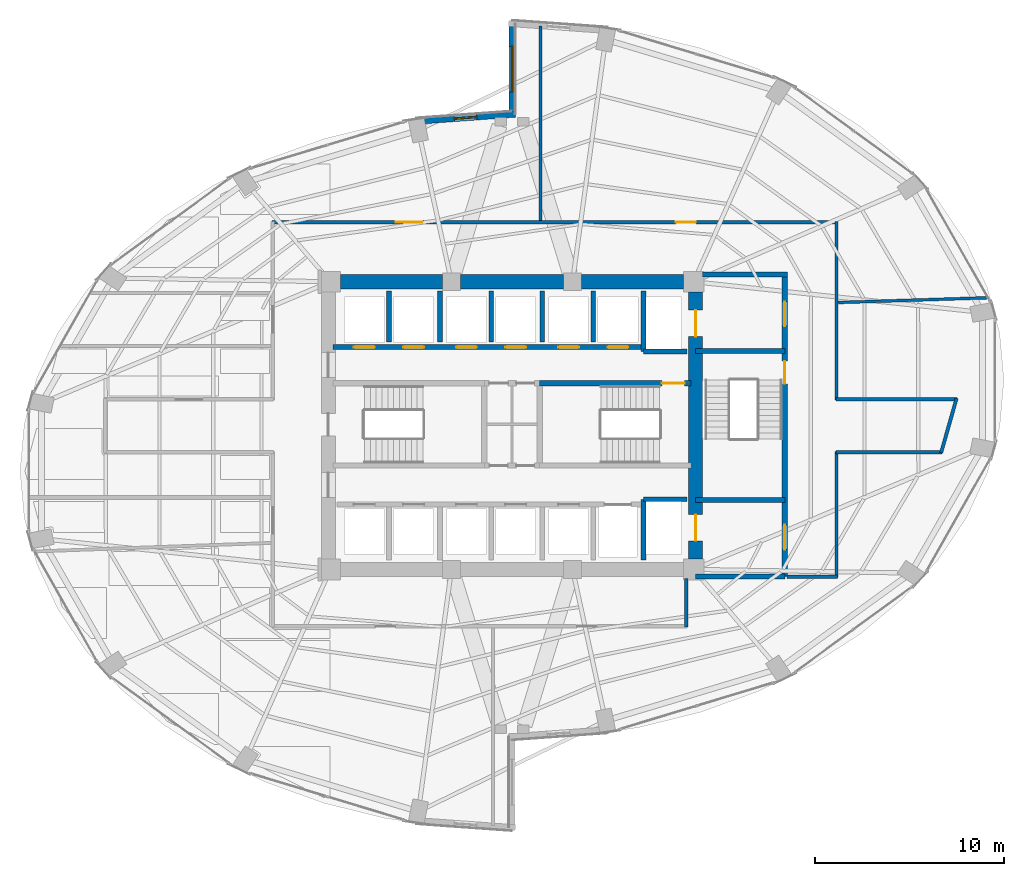
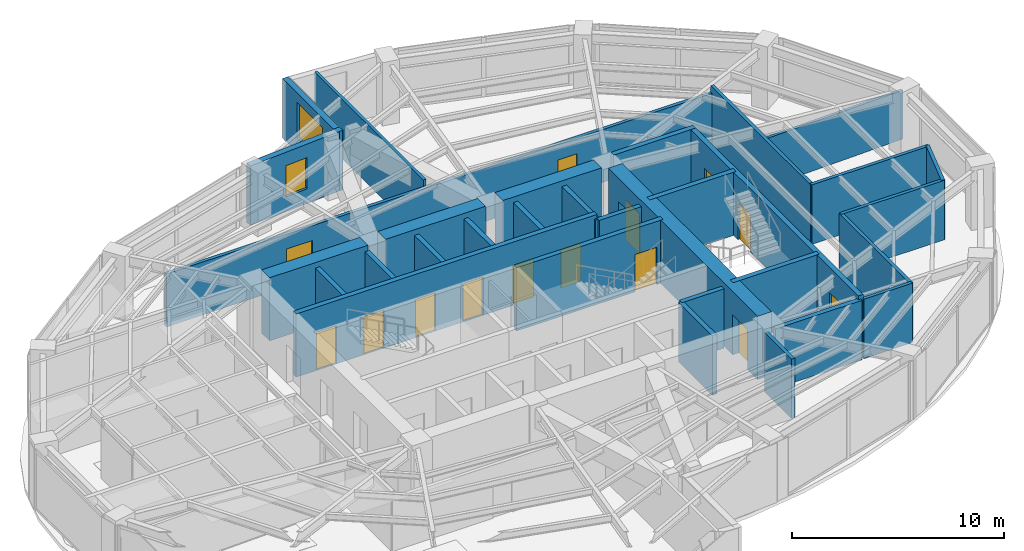
# One storey, part 20 of 23: 32 walls, 14 doors, 2 windows, 16 openings.
"""IFC4 building model written with IfcOpenShell, lengths in metres."""

from ifc_helpers import new_model, si_unit, direction, frame, frame_2d, origin, place, context, subcontext, project, spatial, rectangle, extrude, material, layer, layer_set, type_object, element, fill, save


model = new_model("IFC4")

# Units and contexts
model_context = context("Model", 3, precision=1e-05, world=origin(), true_north=direction((0.0, 1.0)))
body_context = subcontext(model_context, "Body", "Model", "MODEL_VIEW")
ifc_project = project(units=[si_unit("LENGTHUNIT", "METRE"), si_unit("AREAUNIT", "SQUARE_METRE"), si_unit("VOLUMEUNIT", "CUBIC_METRE"), si_unit("PLANEANGLEUNIT", "RADIAN"), si_unit("MASSUNIT", "GRAM", prefix="KILO")], contexts=[model_context])

# Site, building, storey
site_placement = place(None, origin())
site = spatial("IfcSite", under=ifc_project, at=site_placement, CompositionType="ELEMENT")
building_placement = place(site_placement, origin())
building = spatial("IfcBuilding", under=site, at=building_placement, Name="Lazwardi Medical Tower", CompositionType="ELEMENT")
storey_placement = place(building_placement, frame((0.0, 0.0, 92.68798828125)))
storey = spatial("IfcBuildingStorey", under=building, at=storey_placement, Name="L23", CompositionType="ELEMENT", Elevation=92.68798828125)

# Wall, openings, doors
ifc_material_1 = material(Name="Fire-rated gypsum board on steel stud", Category="steel")
ifc_layer_1 = layer(ifc_material_1, 0.179931640625)
ifc_layer_set_1 = layer_set([ifc_layer_1], Name="Fire-rated gypsum board on steel stud")
wall_type_1 = type_object("IfcWallType", Name="WL-COR-180", PredefinedType="PARTITIONING", material=ifc_layer_set_1)
wall_1_placement = place(storey_placement, frame((23.31005859375, 38.75, 0.0), z_axis=(0.0, 0.0, 1.0), x_axis=(1.0, 0.0, 0.0)))
wall_1 = element("IfcWall", 1, at=wall_1_placement, inside=storey, type_object=wall_type_1, Name="L23 Corridor partition 4", PredefinedType="PARTITIONING", context=body_context, shape_type="SweptSolid", body=[
    extrude(rectangle(XDim=29.8798828125, YDim=0.179931640625, at=frame_2d((14.93994140625, 0.0))), origin(), (0.0, 0.0, 1.0), 3.052978515625),
])
opening_1_placement = place(wall_1_placement, frame((21.35107421875, 0.0, 0.0)))
opening_1 = element("IfcOpeningElement", 2, at=opening_1_placement, cuts=wall_1, Name="Opening D-L23-012", PredefinedType="OPENING", context=body_context, shape_type="SweptSolid", body=[
    extrude(rectangle(XDim=1.050048828125, YDim=2.14990234375, at=frame_2d((0.52490234375, 1.074951171875))), frame((0.0, 0.099853515625, 0.0), z_axis=(0.0, -1.0, 0.0), x_axis=(1.0, 0.0, 0.0)), (0.0, 0.0, 1.0), 0.199951171875),
])
opening_2_placement = place(wall_1_placement, frame((6.553955078125, 0.0, 0.0)))
opening_2 = element("IfcOpeningElement", 3, at=opening_2_placement, cuts=wall_1, Name="Opening D-L23-013", PredefinedType="OPENING", context=body_context, shape_type="SweptSolid", body=[
    extrude(rectangle(XDim=1.39990234375, YDim=2.199951171875, at=frame_2d((0.699951171875, 1.10009765625))), frame((0.0, 0.099853515625, 0.0), z_axis=(0.0, -1.0, 0.0), x_axis=(1.0, 0.0, 0.0)), (0.0, 0.0, 1.0), 0.199951171875),
])
ifc_material_2 = material(Name="Anti-microbial laminate hospital leaf")
door_type_1 = type_object("IfcDoorType", Name="DR-BED-1400", OperationType="NOTDEFINED", PredefinedType="DOOR", material=ifc_material_2)
door_1_placement = place(opening_2_placement, origin())
door_1 = element("IfcDoor", 4, at=door_1_placement, inside=storey, type_object=door_type_1, Name="L23 Inpatient Ward Door 05", OperationType="SINGLE_SWING_RIGHT", OverallHeight=2.199951171875, OverallWidth=1.39990234375, PredefinedType="DOOR", context=body_context, shape_type="SweptSolid", body=[
    extrude(rectangle(XDim=1.39990234375, YDim=2.199951171875, at=frame_2d((0.699951171875, 1.10009765625))), frame((0.0, 0.02490234375, 0.0), z_axis=(0.0, -1.0, 0.0), x_axis=(1.0, 0.0, 0.0)), (0.0, 0.0, 1.0), 0.050048828125),
])
fill(opening_2, door_1)
door_type_2 = type_object("IfcDoorType", Name="DR-CLN-1050", OperationType="NOTDEFINED", PredefinedType="DOOR", material=ifc_material_2)
door_2_placement = place(opening_1_placement, origin())
door_2 = element("IfcDoor", 5, at=door_2_placement, inside=storey, type_object=door_type_2, Name="L23 Medical Duty Staff Room Door 04", OperationType="SINGLE_SWING_LEFT", OverallHeight=2.14990234375, OverallWidth=1.050048828125, PredefinedType="DOOR", context=body_context, shape_type="SweptSolid", body=[
    extrude(rectangle(XDim=1.050048828125, YDim=2.14990234375, at=frame_2d((0.52490234375, 1.074951171875))), frame((0.0, 0.02490234375, 0.0), z_axis=(0.0, -1.0, 0.0), x_axis=(1.0, 0.0, 0.0)), (0.0, 0.0, 1.0), 0.050048828125),
])
fill(opening_1, door_2)

# Walls
wall_2_placement = place(storey_placement, frame((53.14990234375, 38.7900390625, 0.0), z_axis=(0.0, 0.0, 1.0), x_axis=(0.0, -1.0, 0.0)))
element("IfcWall", 6, at=wall_2_placement, inside=storey, type_object=wall_type_1, Name="L23 Corridor partition 5", PredefinedType="PARTITIONING", context=body_context, shape_type="SweptSolid", body=[
    extrude(rectangle(XDim=9.429931640625, YDim=0.179931640625, at=frame_2d((4.71484375, 0.0))), origin(), (0.0, 0.0, 1.0), 3.427978515625),
])
wall_3_placement = place(storey_placement, frame((53.110107421875, 29.39990234375, 0.0), z_axis=(0.0, 0.0, 1.0), x_axis=(1.0, 0.0, 0.0)))
element("IfcWall", 7, at=wall_3_placement, inside=storey, type_object=wall_type_1, Name="L23 Corridor partition 6", PredefinedType="PARTITIONING", context=body_context, shape_type="SweptSolid", body=[
    extrude(rectangle(XDim=6.41259765625, YDim=0.179931640625, at=frame_2d((3.206298828125, 0.0))), origin(), (0.0, 0.0, 1.0), 3.427978515625),
])
wall_4_placement = place(storey_placement, frame((59.49365234375, 29.4384765625, 0.0), z_axis=(0.0, 0.0, 1.0), x_axis=(-0.273222154729, -0.961950962453, 0.0)))
element("IfcWall", 8, at=wall_4_placement, inside=storey, type_object=wall_type_1, Name="L23 Corridor partition 7", PredefinedType="PARTITIONING", context=body_context, shape_type="SweptSolid", body=[
    extrude(rectangle(XDim=2.99072265625, YDim=0.179931640625, at=frame_2d((1.495361328125, 0.0))), origin(), (0.0, 0.0, 1.0), 3.427978515625),
])
wall_5_placement = place(storey_placement, frame((58.727294921875, 26.60009765625, 0.0), z_axis=(0.0, 0.0, 1.0), x_axis=(-1.0, 0.0, 0.0)))
element("IfcWall", 9, at=wall_5_placement, inside=storey, type_object=wall_type_1, Name="L23 Corridor partition 8", PredefinedType="PARTITIONING", context=body_context, shape_type="SweptSolid", body=[
    extrude(rectangle(XDim=5.6171875, YDim=0.179931640625, at=frame_2d((2.80859375, 0.0))), origin(), (0.0, 0.0, 1.0), 3.427978515625),
])
wall_6_placement = place(storey_placement, frame((53.14990234375, 26.639892578125, 0.0), z_axis=(0.0, 0.0, 1.0), x_axis=(0.0, -1.0, 0.0)))
element("IfcWall", 10, at=wall_6_placement, inside=storey, type_object=wall_type_1, Name="L23 Corridor partition 9", PredefinedType="PARTITIONING", context=body_context, shape_type="SweptSolid", body=[
    extrude(rectangle(XDim=6.659912109375, YDim=0.179931640625, at=frame_2d((3.330078125, 0.0))), origin(), (0.0, 0.0, 1.0), 3.427978515625),
])
wall_7_placement = place(storey_placement, frame((53.18994140625, 20.02001953125, 0.0), z_axis=(0.0, 0.0, 1.0), x_axis=(-1.0, 0.0, 0.0)))
element("IfcWall", 11, at=wall_7_placement, inside=storey, type_object=wall_type_1, Name="L23 Corridor partition 10", PredefinedType="PARTITIONING", context=body_context, shape_type="SweptSolid", body=[
    extrude(rectangle(XDim=2.64990234375, YDim=0.179931640625, at=frame_2d((1.324951171875, 0.0))), origin(), (0.0, 0.0, 1.0), 3.427978515625),
])
wall_8_placement = place(storey_placement, frame((45.199951171875, 19.909912109375, 0.0), z_axis=(0.0, 0.0, 1.0), x_axis=(0.0, -1.0, 0.0)))
element("IfcWall", 12, at=wall_8_placement, inside=storey, type_object=wall_type_1, Name="L23 Corridor partition 13", PredefinedType="PARTITIONING", context=body_context, shape_type="SweptSolid", body=[
    extrude(rectangle(XDim=2.5498046875, YDim=0.179931640625, at=frame_2d((1.27490234375, 0.0))), origin(), (0.0, 0.0, 1.0), 3.427978515625),
])

# Wall, openings, doors
ifc_material_3 = material(Name="Concrete C70/85", Category="concrete")
ifc_layer_2 = layer(ifc_material_3, 0.75)
ifc_layer_set_2 = layer_set([ifc_layer_2], Name="Concrete C70/85")
wall_type_2 = type_object("IfcWallType", Name="WL-CORE-750", PredefinedType="SHEAR", material=ifc_layer_set_2)
wall_9_placement = place(storey_placement, frame((45.699951171875, 20.949951171875, 0.0), z_axis=(0.0, 0.0, 1.0), x_axis=(0.0, 1.0, 0.0)))
wall_9 = element("IfcWall", 13, at=wall_9_placement, inside=storey, type_object=wall_type_2, Name="Core wall CW-S2 east L23", PredefinedType="SHEAR", context=body_context, shape_type="SweptSolid", body=[
    extrude(rectangle(XDim=14.10009765625, YDim=0.75, at=frame_2d((7.050048828125, 0.0))), origin(), (0.0, 0.0, 1.0), 3.64794921875),
])
opening_3_placement = place(wall_9_placement, frame((11.75, 0.0, 0.0)))
opening_3 = element("IfcOpeningElement", 14, at=opening_3_placement, cuts=wall_9, Name="Opening LD-L23-001", PredefinedType="OPENING", context=body_context, shape_type="SweptSolid", body=[
    extrude(rectangle(XDim=1.39990234375, YDim=2.300048828125, at=frame_2d((0.699951171875, 1.14990234375))), frame((0.0, 0.385009765625, 0.0), z_axis=(0.0, -1.0, 0.0), x_axis=(1.0, 0.0, 0.0)), (0.0, 0.0, 1.0), 0.77001953125),
])
opening_4_placement = place(wall_9_placement, frame((0.949951171875, 0.0, 0.0)))
opening_4 = element("IfcOpeningElement", 15, at=opening_4_placement, cuts=wall_9, Name="Opening LD-L23-002", PredefinedType="OPENING", context=body_context, shape_type="SweptSolid", body=[
    extrude(rectangle(XDim=1.39990234375, YDim=2.300048828125, at=frame_2d((0.699951171875, 1.14990234375))), frame((0.0, 0.385009765625, 0.0), z_axis=(0.0, -1.0, 0.0), x_axis=(1.0, 0.0, 0.0)), (0.0, 0.0, 1.0), 0.77001953125),
])
ifc_material_4 = material(Name="Brushed stainless steel bed-lift landing door", Category="steel")
door_type_3 = type_object("IfcDoorType", Name="DR-LFT-1400", OperationType="NOTDEFINED", PredefinedType="DOOR", material=ifc_material_4)
door_3_placement = place(opening_3_placement, origin())
door_3 = element("IfcDoor", 16, at=door_3_placement, inside=storey, type_object=door_type_3, Name="L23 Lift Landing Door FL-01", OperationType="SLIDING_TO_LEFT", OverallHeight=2.300048828125, OverallWidth=1.39990234375, PredefinedType="DOOR", context=body_context, shape_type="SweptSolid", body=[
    extrude(rectangle(XDim=1.39990234375, YDim=2.300048828125, at=frame_2d((0.699951171875, 1.14990234375))), frame((0.0, 0.02490234375, 0.0), z_axis=(0.0, -1.0, 0.0), x_axis=(1.0, 0.0, 0.0)), (0.0, 0.0, 1.0), 0.050048828125),
])
fill(opening_3, door_3)
door_4_placement = place(opening_4_placement, origin())
door_4 = element("IfcDoor", 17, at=door_4_placement, inside=storey, type_object=door_type_3, Name="L23 Lift Landing Door FL-02", OperationType="SLIDING_TO_LEFT", OverallHeight=2.300048828125, OverallWidth=1.39990234375, PredefinedType="DOOR", context=body_context, shape_type="SweptSolid", body=[
    extrude(rectangle(XDim=1.39990234375, YDim=2.300048828125, at=frame_2d((0.699951171875, 1.14990234375))), frame((0.0, 0.02490234375, 0.0), z_axis=(0.0, -1.0, 0.0), x_axis=(1.0, 0.0, 0.0)), (0.0, 0.0, 1.0), 0.050048828125),
])
fill(opening_4, door_4)

# Walls
wall_10_placement = place(storey_placement, frame((26.949951171875, 35.60009765625, 0.0), z_axis=(0.0, 0.0, 1.0), x_axis=(1.0, 0.0, 0.0)))
element("IfcWall", 18, at=wall_10_placement, inside=storey, type_object=wall_type_2, Name="Core wall CW-S2 N1 L23", PredefinedType="SHEAR", context=body_context, shape_type="SweptSolid", body=[
    extrude(rectangle(XDim=5.375, YDim=0.75, at=frame_2d((2.6875, 0.0))), origin(), (0.0, 0.0, 1.0), 3.64794921875),
])
wall_11_placement = place(storey_placement, frame((33.27490234375, 35.60009765625, 0.0), z_axis=(0.0, 0.0, 1.0), x_axis=(1.0, 0.0, 0.0)))
element("IfcWall", 19, at=wall_11_placement, inside=storey, type_object=wall_type_2, Name="Core wall CW-S2 N2 L23", PredefinedType="SHEAR", context=body_context, shape_type="SweptSolid", body=[
    extrude(rectangle(XDim=5.4501953125, YDim=0.75, at=frame_2d((2.72509765625, 0.0))), origin(), (0.0, 0.0, 1.0), 3.64794921875),
])
wall_12_placement = place(storey_placement, frame((39.675048828125, 35.60009765625, 0.0), z_axis=(0.0, 0.0, 1.0), x_axis=(1.0, 0.0, 0.0)))
element("IfcWall", 20, at=wall_12_placement, inside=storey, type_object=wall_type_2, Name="Core wall CW-S2 N3 L23", PredefinedType="SHEAR", context=body_context, shape_type="SweptSolid", body=[
    extrude(rectangle(XDim=5.375, YDim=0.75, at=frame_2d((2.6875, 0.0))), origin(), (0.0, 0.0, 1.0), 3.64794921875),
])

# Wall, opening, window
ifc_material_5 = material(Name="Precast concrete C45/55", Category="concrete")
ifc_layer_3 = layer(ifc_material_5, 0.320068359375)
ifc_layer_set_3 = layer_set([ifc_layer_3], Name="Precast concrete C45/55")
wall_type_3 = type_object("IfcWallType", Name="WL-IWAN-320", PredefinedType="SOLIDWALL", material=ifc_layer_set_3)
wall_13_placement = place(storey_placement, frame((36.178955078125, 44.452880859375, 0.0), z_axis=(0.0, 0.0, 1.0), x_axis=(-0.997431890304, -0.071621394884, 0.0)))
wall_13 = element("IfcWall", 21, at=wall_13_placement, inside=storey, type_object=wall_type_3, Name="L23 Iwan Portal Return Wall NW_ret", PredefinedType="SOLIDWALL", context=body_context, shape_type="SweptSolid", body=[
    extrude(rectangle(XDim=5.28369140625, YDim=0.320068359375, at=frame_2d((2.641845703125, 0.0))), origin(), (0.0, 0.0, 1.0), 3.427978515625),
])
opening_5_placement = place(wall_13_placement, frame((2.041748046875, 0.0, 0.85009765625)))
opening_5 = element("IfcOpeningElement", 22, at=opening_5_placement, cuts=wall_13, Name="Opening WN-04", PredefinedType="OPENING", context=body_context, shape_type="SweptSolid", body=[
    extrude(rectangle(XDim=1.199951171875, YDim=1.800048828125, at=frame_2d((0.60009765625, 0.89990234375))), frame((0.0, 0.169921875, 0.0), z_axis=(0.0, -1.0, 0.0), x_axis=(1.0, 0.0, 0.0)), (0.0, 0.0, 1.0), 0.340087890625),
])
ifc_material_6 = material(Name="Low-e bronze solar control double glazing", Category="glass")
window_type_1 = type_object("IfcWindowType", Name="WIN-DRUM-1200", PartitioningType="SINGLE_PANEL", PredefinedType="WINDOW", material=ifc_material_6)
window_1_placement = place(opening_5_placement, origin())
window_1 = element("IfcWindow", 23, at=window_1_placement, inside=storey, type_object=window_type_1, Name="L23 Iwan Slot Window NW_ret", OverallHeight=1.800048828125, OverallWidth=1.199951171875, PartitioningType="SINGLE_PANEL", PredefinedType="WINDOW", context=body_context, shape_type="SweptSolid", body=[
    extrude(rectangle(XDim=1.199951171875, YDim=1.800048828125, at=frame_2d((0.60009765625, 0.89990234375))), frame((0.0, 0.030029296875, 0.0), z_axis=(0.0, -1.0, 0.0), x_axis=(1.0, 0.0, 0.0)), (0.0, 0.0, 1.0), 0.06005859375),
])
fill(opening_5, window_1)

wall_14_placement = place(storey_placement, frame((36.0, 49.39990234375, 0.0), z_axis=(0.0, 0.0, 1.0), x_axis=(0.0, -1.0, 0.0)))
wall_14 = element("IfcWall", 24, at=wall_14_placement, inside=storey, type_object=wall_type_3, Name="L23 Turquoise Tilework Iwan Seam Wall N_seam", PredefinedType="SOLIDWALL", context=body_context, shape_type="SweptSolid", body=[
    extrude(rectangle(XDim=5.119873046875, YDim=0.320068359375, at=frame_2d((2.56005859375, 0.0))), origin(), (0.0, 0.0, 1.0), 3.427978515625),
])
opening_6_placement = place(wall_14_placement, frame((1.360107421875, 0.0, 0.840087890625)))
opening_6 = element("IfcOpeningElement", 25, at=opening_6_placement, cuts=wall_14, Name="Opening WN-02", PredefinedType="OPENING", context=body_context, shape_type="SweptSolid", body=[
    extrude(rectangle(XDim=2.39990234375, YDim=2.0400390625, at=frame_2d((1.199951171875, 1.02001953125))), frame((0.0, 0.169921875, 0.0), z_axis=(0.0, -1.0, 0.0), x_axis=(1.0, 0.0, 0.0)), (0.0, 0.0, 1.0), 0.340087890625),
])
window_type_2 = type_object("IfcWindowType", Name="WIN-IW-2400", PartitioningType="SINGLE_PANEL", PredefinedType="WINDOW", material=ifc_material_6)
window_2_placement = place(opening_6_placement, origin())
window_2 = element("IfcWindow", 26, at=window_2_placement, inside=storey, type_object=window_type_2, Name="L23 Iwan Seam Window N_seam", OverallHeight=2.0400390625, OverallWidth=2.39990234375, PartitioningType="SINGLE_PANEL", PredefinedType="WINDOW", context=body_context, shape_type="SweptSolid", body=[
    extrude(rectangle(XDim=2.39990234375, YDim=2.0400390625, at=frame_2d((1.199951171875, 1.02001953125))), frame((0.0, 0.030029296875, 0.0), z_axis=(0.0, -1.0, 0.0), x_axis=(1.0, 0.0, 0.0)), (0.0, 0.0, 1.0), 0.06005859375),
])
fill(opening_6, window_2)

# Walls
ifc_material_7 = material(Name="Autoclaved aerated concrete blockwork", Category="masonry")
ifc_layer_4 = layer(ifc_material_7, 0.25)
ifc_layer_set_4 = layer_set([ifc_layer_4], Name="Autoclaved aerated concrete blockwork")
wall_type_4 = type_object("IfcWallType", Name="WL-SHAFT-250", PredefinedType="SOLIDWALL", material=ifc_layer_set_4)
wall_15_placement = place(storey_placement, frame((42.949951171875, 31.919921875, 0.0), z_axis=(0.0, 0.0, 1.0), x_axis=(0.0, 1.0, 0.0)))
element("IfcWall", 27, at=wall_15_placement, inside=storey, type_object=wall_type_4, Name="L23 FL-01 West shaft wall", PredefinedType="SOLIDWALL", context=body_context, shape_type="SweptSolid", body=[
    extrude(rectangle(XDim=3.18017578125, YDim=0.25, at=frame_2d((1.590087890625, 0.0))), origin(), (0.0, 0.0, 1.0), 3.427978515625),
])
wall_16_placement = place(storey_placement, frame((42.949951171875, 31.919921875, 0.0), z_axis=(0.0, 0.0, 1.0), x_axis=(1.0, 0.0, 0.0)))
element("IfcWall", 28, at=wall_16_placement, inside=storey, type_object=wall_type_4, Name="L23 FL-01 South shaft wall", PredefinedType="SOLIDWALL", context=body_context, shape_type="SweptSolid", body=[
    extrude(rectangle(XDim=2.300048828125, YDim=0.25, at=frame_2d((1.14990234375, 0.0))), origin(), (0.0, 0.0, 1.0), 3.427978515625),
])
wall_17_placement = place(storey_placement, frame((42.949951171875, 20.89990234375, 0.0), z_axis=(0.0, 0.0, 1.0), x_axis=(0.0, 1.0, 0.0)))
element("IfcWall", 29, at=wall_17_placement, inside=storey, type_object=wall_type_4, Name="L23 FL-02 West shaft wall", PredefinedType="SOLIDWALL", context=body_context, shape_type="SweptSolid", body=[
    extrude(rectangle(XDim=3.2001953125, YDim=0.25, at=frame_2d((1.60009765625, 0.0))), origin(), (0.0, 0.0, 1.0), 3.427978515625),
])
wall_18_placement = place(storey_placement, frame((42.949951171875, 24.10009765625, 0.0), z_axis=(0.0, 0.0, 1.0), x_axis=(1.0, 0.0, 0.0)))
element("IfcWall", 30, at=wall_18_placement, inside=storey, type_object=wall_type_4, Name="L23 FL-02 North shaft wall", PredefinedType="SOLIDWALL", context=body_context, shape_type="SweptSolid", body=[
    extrude(rectangle(XDim=2.300048828125, YDim=0.25, at=frame_2d((1.14990234375, 0.0))), origin(), (0.0, 0.0, 1.0), 3.427978515625),
])
for number, where, z_axis, x_axis, name in (
    (31, (29.5, 32.419921875, 0.0), (0.0, 0.0, 1.0), (0.0, 1.0, 0.0), "L23 North hoistway divider"),
    (32, (32.199951171875, 32.419921875, 0.0), (0.0, 0.0, 1.0), (0.0, 1.0, 0.0), "L23 North hoistway divider"),
    (33, (34.89990234375, 32.419921875, 0.0), (0.0, 0.0, 1.0), (0.0, 1.0, 0.0), "L23 North hoistway divider"),
    (34, (37.60009765625, 32.419921875, 0.0), (0.0, 0.0, 1.0), (0.0, 1.0, 0.0), "L23 North hoistway divider"),
    (35, (40.300048828125, 32.419921875, 0.0), (0.0, 0.0, 1.0), (0.0, 1.0, 0.0), "L23 North hoistway divider"),
):
    element("IfcWall", number, at=place(storey_placement, frame(where, z_axis=z_axis, x_axis=x_axis)), inside=storey, type_object=wall_type_4, Name=name, PredefinedType="SOLIDWALL", context=body_context, shape_type="SweptSolid", body=[
        extrude(rectangle(XDim=2.68017578125, YDim=0.25, at=frame_2d((1.340087890625, 0.0))), origin(), (0.0, 0.0, 1.0), 3.427978515625),
    ])
wall_19_placement = place(storey_placement, frame((45.699951171875, 20.02001953125, 0.0), z_axis=(0.0, 0.0, 1.0), x_axis=(1.0, 0.0, 0.0)))
element("IfcWall", 36, at=wall_19_placement, inside=storey, type_object=wall_type_4, Name="L23 FFL-S South wall", PredefinedType="SOLIDWALL", context=body_context, shape_type="SweptSolid", body=[
    extrude(rectangle(XDim=4.715087890625, YDim=0.25, at=frame_2d((2.357421875, 0.0))), origin(), (0.0, 0.0, 1.0), 3.427978515625),
])

# Wall, opening, door
ifc_material_8 = material(Name="Concrete C50/60", Category="concrete")
ifc_layer_5 = layer(ifc_material_8, 0.27001953125)
ifc_layer_set_5 = layer_set([ifc_layer_5], Name="Concrete C50/60")
wall_type_5 = type_object("IfcWallType", Name="WL-STR-250", PredefinedType="SHEAR", material=ifc_layer_set_5)
wall_20_placement = place(storey_placement, frame((37.465087890625, 30.235107421875, 0.0), z_axis=(0.0, 0.0, 1.0), x_axis=(1.0, 0.0, 0.0)))
wall_20 = element("IfcWall", 37, at=wall_20_placement, inside=storey, type_object=wall_type_5, Name="L23 ST2 North shear shaft wall SW-S1", PredefinedType="SHEAR", context=body_context, shape_type="SweptSolid", body=[
    extrude(rectangle(XDim=7.98486328125, YDim=0.27001953125, at=frame_2d((3.992431640625, 0.0))), origin(), (0.0, 0.0, 1.0), 3.64794921875),
])
opening_7_placement = place(wall_20_placement, frame((6.455078125, 0.0, 0.0)))
opening_7 = element("IfcOpeningElement", 38, at=opening_7_placement, cuts=wall_20, Name="Opening D-L23-017", PredefinedType="OPENING", context=body_context, shape_type="SweptSolid", body=[
    extrude(rectangle(XDim=1.199951171875, YDim=2.14990234375, at=frame_2d((0.60009765625, 1.074951171875))), frame((0.0, 0.14501953125, 0.0), z_axis=(0.0, -1.0, 0.0), x_axis=(1.0, 0.0, 0.0)), (0.0, 0.0, 1.0), 0.2900390625),
])
ifc_material_9 = material(Name="Fire-rated steel leaf and frame", Category="steel")
door_type_4 = type_object("IfcDoorType", Name="DR-STR-1200", OperationType="NOTDEFINED", PredefinedType="DOOR", material=ifc_material_9)
door_5_placement = place(opening_7_placement, origin())
door_5 = element("IfcDoor", 39, at=door_5_placement, inside=storey, type_object=door_type_4, Name="L23 Exit Stair ST2 Door", OperationType="SINGLE_SWING_RIGHT", OverallHeight=2.14990234375, OverallWidth=1.199951171875, PredefinedType="DOOR", context=body_context, shape_type="SweptSolid", body=[
    extrude(rectangle(XDim=1.199951171875, YDim=2.14990234375, at=frame_2d((0.60009765625, 1.074951171875))), frame((0.0, 0.02490234375, 0.0), z_axis=(0.0, -1.0, 0.0), x_axis=(1.0, 0.0, 0.0)), (0.0, 0.0, 1.0), 0.050048828125),
])
fill(opening_7, door_5)

# Wall, openings, doors
wall_21_placement = place(storey_placement, frame((26.550048828125, 32.14990234375, 0.0), z_axis=(0.0, 0.0, 1.0), x_axis=(1.0, 0.0, 0.0)))
wall_21 = element("IfcWall", 40, at=wall_21_placement, inside=storey, type_object=wall_type_5, Name="L23 North lift bank shear wall SW-S1", PredefinedType="SHEAR", context=body_context, shape_type="SweptSolid", body=[
    extrude(rectangle(XDim=16.39990234375, YDim=0.27001953125, at=frame_2d((8.199951171875, 0.0))), origin(), (0.0, 0.0, 1.0), 3.64794921875),
])
opening_8_placement = place(wall_21_placement, frame((1.10009765625, 0.0, 0.0)))
opening_8 = element("IfcOpeningElement", 41, at=opening_8_placement, cuts=wall_21, Name="Opening LD-L23-004", PredefinedType="OPENING", context=body_context, shape_type="SweptSolid", body=[
    extrude(rectangle(XDim=1.10009765625, YDim=2.199951171875, at=frame_2d((0.550048828125, 1.10009765625))), frame((0.0, 0.14501953125, 0.0), z_axis=(0.0, -1.0, 0.0), x_axis=(1.0, 0.0, 0.0)), (0.0, 0.0, 1.0), 0.2900390625),
])
opening_9_placement = place(wall_21_placement, frame((3.699951171875, 0.0, 0.0)))
opening_9 = element("IfcOpeningElement", 42, at=opening_9_placement, cuts=wall_21, Name="Opening LD-L23-005", PredefinedType="OPENING", context=body_context, shape_type="SweptSolid", body=[
    extrude(rectangle(XDim=1.10009765625, YDim=2.199951171875, at=frame_2d((0.550048828125, 1.10009765625))), frame((0.0, 0.14501953125, 0.0), z_axis=(0.0, -1.0, 0.0), x_axis=(1.0, 0.0, 0.0)), (0.0, 0.0, 1.0), 0.2900390625),
])
opening_10_placement = place(wall_21_placement, frame((6.5, 0.0, 0.0)))
opening_10 = element("IfcOpeningElement", 43, at=opening_10_placement, cuts=wall_21, Name="Opening LD-L23-008", PredefinedType="OPENING", context=body_context, shape_type="SweptSolid", body=[
    extrude(rectangle(XDim=1.10009765625, YDim=2.199951171875, at=frame_2d((0.550048828125, 1.10009765625))), frame((0.0, 0.14501953125, 0.0), z_axis=(0.0, -1.0, 0.0), x_axis=(1.0, 0.0, 0.0)), (0.0, 0.0, 1.0), 0.2900390625),
])
opening_11_placement = place(wall_21_placement, frame((9.10009765625, 0.0, 0.0)))
opening_11 = element("IfcOpeningElement", 44, at=opening_11_placement, cuts=wall_21, Name="Opening LD-L23-009", PredefinedType="OPENING", context=body_context, shape_type="SweptSolid", body=[
    extrude(rectangle(XDim=1.10009765625, YDim=2.199951171875, at=frame_2d((0.550048828125, 1.10009765625))), frame((0.0, 0.14501953125, 0.0), z_axis=(0.0, -1.0, 0.0), x_axis=(1.0, 0.0, 0.0)), (0.0, 0.0, 1.0), 0.2900390625),
])
opening_12_placement = place(wall_21_placement, frame((11.89990234375, 0.0, 0.0)))
opening_12 = element("IfcOpeningElement", 45, at=opening_12_placement, cuts=wall_21, Name="Opening LD-L23-012", PredefinedType="OPENING", context=body_context, shape_type="SweptSolid", body=[
    extrude(rectangle(XDim=1.10009765625, YDim=2.199951171875, at=frame_2d((0.550048828125, 1.10009765625))), frame((0.0, 0.14501953125, 0.0), z_axis=(0.0, -1.0, 0.0), x_axis=(1.0, 0.0, 0.0)), (0.0, 0.0, 1.0), 0.2900390625),
])
opening_13_placement = place(wall_21_placement, frame((14.5, 0.0, 0.0)))
opening_13 = element("IfcOpeningElement", 46, at=opening_13_placement, cuts=wall_21, Name="Opening LD-L23-013", PredefinedType="OPENING", context=body_context, shape_type="SweptSolid", body=[
    extrude(rectangle(XDim=1.10009765625, YDim=2.199951171875, at=frame_2d((0.550048828125, 1.10009765625))), frame((0.0, 0.14501953125, 0.0), z_axis=(0.0, -1.0, 0.0), x_axis=(1.0, 0.0, 0.0)), (0.0, 0.0, 1.0), 0.2900390625),
])
ifc_material_10 = material(Name="Brushed bronze stainless steel landing door", Category="steel")
door_type_5 = type_object("IfcDoorType", Name="DR-LFT-1100", OperationType="NOTDEFINED", PredefinedType="DOOR", material=ifc_material_10)
door_6_placement = place(opening_8_placement, origin())
door_6 = element("IfcDoor", 47, at=door_6_placement, inside=storey, type_object=door_type_5, Name="L23 Lift Landing Door PL-01", OperationType="SLIDING_TO_LEFT", OverallHeight=2.199951171875, OverallWidth=1.10009765625, PredefinedType="DOOR", context=body_context, shape_type="SweptSolid", body=[
    extrude(rectangle(XDim=1.10009765625, YDim=2.199951171875, at=frame_2d((0.550048828125, 1.10009765625))), frame((0.0, 0.02490234375, 0.0), z_axis=(0.0, -1.0, 0.0), x_axis=(1.0, 0.0, 0.0)), (0.0, 0.0, 1.0), 0.050048828125),
])
fill(opening_8, door_6)
door_7_placement = place(opening_9_placement, origin())
door_7 = element("IfcDoor", 48, at=door_7_placement, inside=storey, type_object=door_type_5, Name="L23 Lift Landing Door PL-02", OperationType="SLIDING_TO_LEFT", OverallHeight=2.199951171875, OverallWidth=1.10009765625, PredefinedType="DOOR", context=body_context, shape_type="SweptSolid", body=[
    extrude(rectangle(XDim=1.10009765625, YDim=2.199951171875, at=frame_2d((0.550048828125, 1.10009765625))), frame((0.0, 0.02490234375, 0.0), z_axis=(0.0, -1.0, 0.0), x_axis=(1.0, 0.0, 0.0)), (0.0, 0.0, 1.0), 0.050048828125),
])
fill(opening_9, door_7)
door_8_placement = place(opening_10_placement, origin())
door_8 = element("IfcDoor", 49, at=door_8_placement, inside=storey, type_object=door_type_5, Name="L23 Lift Landing Door PL-05", OperationType="SLIDING_TO_LEFT", OverallHeight=2.199951171875, OverallWidth=1.10009765625, PredefinedType="DOOR", context=body_context, shape_type="SweptSolid", body=[
    extrude(rectangle(XDim=1.10009765625, YDim=2.199951171875, at=frame_2d((0.550048828125, 1.10009765625))), frame((0.0, 0.02490234375, 0.0), z_axis=(0.0, -1.0, 0.0), x_axis=(1.0, 0.0, 0.0)), (0.0, 0.0, 1.0), 0.050048828125),
])
fill(opening_10, door_8)
door_9_placement = place(opening_11_placement, origin())
door_9 = element("IfcDoor", 50, at=door_9_placement, inside=storey, type_object=door_type_5, Name="L23 Lift Landing Door PL-06", OperationType="SLIDING_TO_LEFT", OverallHeight=2.199951171875, OverallWidth=1.10009765625, PredefinedType="DOOR", context=body_context, shape_type="SweptSolid", body=[
    extrude(rectangle(XDim=1.10009765625, YDim=2.199951171875, at=frame_2d((0.550048828125, 1.10009765625))), frame((0.0, 0.02490234375, 0.0), z_axis=(0.0, -1.0, 0.0), x_axis=(1.0, 0.0, 0.0)), (0.0, 0.0, 1.0), 0.050048828125),
])
fill(opening_11, door_9)
door_10_placement = place(opening_12_placement, origin())
door_10 = element("IfcDoor", 51, at=door_10_placement, inside=storey, type_object=door_type_5, Name="L23 Lift Landing Door PL-09", OperationType="SLIDING_TO_LEFT", OverallHeight=2.199951171875, OverallWidth=1.10009765625, PredefinedType="DOOR", context=body_context, shape_type="SweptSolid", body=[
    extrude(rectangle(XDim=1.10009765625, YDim=2.199951171875, at=frame_2d((0.550048828125, 1.10009765625))), frame((0.0, 0.02490234375, 0.0), z_axis=(0.0, -1.0, 0.0), x_axis=(1.0, 0.0, 0.0)), (0.0, 0.0, 1.0), 0.050048828125),
])
fill(opening_12, door_10)
door_11_placement = place(opening_13_placement, origin())
door_11 = element("IfcDoor", 52, at=door_11_placement, inside=storey, type_object=door_type_5, Name="L23 Lift Landing Door PL-10", OperationType="SLIDING_TO_LEFT", OverallHeight=2.199951171875, OverallWidth=1.10009765625, PredefinedType="DOOR", context=body_context, shape_type="SweptSolid", body=[
    extrude(rectangle(XDim=1.10009765625, YDim=2.199951171875, at=frame_2d((0.550048828125, 1.10009765625))), frame((0.0, 0.02490234375, 0.0), z_axis=(0.0, -1.0, 0.0), x_axis=(1.0, 0.0, 0.0)), (0.0, 0.0, 1.0), 0.050048828125),
])
fill(opening_13, door_11)

wall_22_placement = place(storey_placement, frame((50.4150390625, 35.844970703125, 0.0), z_axis=(0.0, 0.0, 1.0), x_axis=(0.0, -1.0, 0.0)))
wall_22 = element("IfcWall", 53, at=wall_22_placement, inside=storey, type_object=wall_type_5, Name="L23 East ST3 & FFL shear wall SW-S1", PredefinedType="SHEAR", context=body_context, shape_type="SweptSolid", body=[
    extrude(rectangle(XDim=15.824951171875, YDim=0.27001953125, at=frame_2d((7.91259765625, 0.0))), origin(), (0.0, 0.0, 1.0), 3.64794921875),
])
opening_14_placement = place(wall_22_placement, frame((4.445068359375, 0.0, 0.0)))
opening_14 = element("IfcOpeningElement", 54, at=opening_14_placement, cuts=wall_22, Name="Opening D-L23-018", PredefinedType="OPENING", context=body_context, shape_type="SweptSolid", body=[
    extrude(rectangle(XDim=1.199951171875, YDim=2.14990234375, at=frame_2d((0.60009765625, 1.074951171875))), frame((0.0, 0.14501953125, 0.0), z_axis=(0.0, -1.0, 0.0), x_axis=(1.0, 0.0, 0.0)), (0.0, 0.0, 1.0), 0.2900390625),
])
opening_15_placement = place(wall_22_placement, frame((1.294921875, 0.0, 0.0)))
opening_15 = element("IfcOpeningElement", 55, at=opening_15_placement, cuts=wall_22, Name="Opening D-L23-005", PredefinedType="OPENING", context=body_context, shape_type="SweptSolid", body=[
    extrude(rectangle(XDim=1.300048828125, YDim=2.199951171875, at=frame_2d((0.64990234375, 1.10009765625))), frame((0.0, 0.14501953125, 0.0), z_axis=(0.0, -1.0, 0.0), x_axis=(1.0, 0.0, 0.0)), (0.0, 0.0, 1.0), 0.2900390625),
])
opening_16_placement = place(wall_22_placement, frame((13.094970703125, 0.0, 0.0)))
opening_16 = element("IfcOpeningElement", 56, at=opening_16_placement, cuts=wall_22, Name="Opening D-L23-006", PredefinedType="OPENING", context=body_context, shape_type="SweptSolid", body=[
    extrude(rectangle(XDim=1.300048828125, YDim=2.199951171875, at=frame_2d((0.64990234375, 1.10009765625))), frame((0.0, 0.14501953125, 0.0), z_axis=(0.0, -1.0, 0.0), x_axis=(1.0, 0.0, 0.0)), (0.0, 0.0, 1.0), 0.2900390625),
])
door_type_6 = type_object("IfcDoorType", Name="DR-FFL-1300", OperationType="NOTDEFINED", PredefinedType="DOOR", material=ifc_material_9)
door_12_placement = place(opening_15_placement, origin())
door_12 = element("IfcDoor", 57, at=door_12_placement, inside=storey, type_object=door_type_6, Name="L23 Fire-Fighting Lobby North Door", OperationType="SINGLE_SWING_RIGHT", OverallHeight=2.199951171875, OverallWidth=1.300048828125, PredefinedType="DOOR", context=body_context, shape_type="SweptSolid", body=[
    extrude(rectangle(XDim=1.300048828125, YDim=2.199951171875, at=frame_2d((0.64990234375, 1.10009765625))), frame((0.0, 0.02490234375, 0.0), z_axis=(0.0, -1.0, 0.0), x_axis=(1.0, 0.0, 0.0)), (0.0, 0.0, 1.0), 0.050048828125),
])
fill(opening_15, door_12)
door_13_placement = place(opening_16_placement, origin())
door_13 = element("IfcDoor", 58, at=door_13_placement, inside=storey, type_object=door_type_6, Name="L23 Fire-Fighting Lobby South Door", OperationType="SINGLE_SWING_LEFT", OverallHeight=2.199951171875, OverallWidth=1.300048828125, PredefinedType="DOOR", context=body_context, shape_type="SweptSolid", body=[
    extrude(rectangle(XDim=1.300048828125, YDim=2.199951171875, at=frame_2d((0.64990234375, 1.10009765625))), frame((0.0, 0.02490234375, 0.0), z_axis=(0.0, -1.0, 0.0), x_axis=(1.0, 0.0, 0.0)), (0.0, 0.0, 1.0), 0.050048828125),
])
fill(opening_16, door_13)
door_14_placement = place(opening_14_placement, origin())
door_14 = element("IfcDoor", 59, at=door_14_placement, inside=storey, type_object=door_type_4, Name="L23 Exit Stair ST3 Door", OperationType="SINGLE_SWING_LEFT", OverallHeight=2.14990234375, OverallWidth=1.199951171875, PredefinedType="DOOR", context=body_context, shape_type="SweptSolid", body=[
    extrude(rectangle(XDim=1.199951171875, YDim=2.14990234375, at=frame_2d((0.60009765625, 1.074951171875))), frame((0.0, 0.02490234375, 0.0), z_axis=(0.0, -1.0, 0.0), x_axis=(1.0, 0.0, 0.0)), (0.0, 0.0, 1.0), 0.050048828125),
])
fill(opening_14, door_14)

# Walls
wall_23_placement = place(storey_placement, frame((46.074951171875, 35.97998046875, 0.0), z_axis=(0.0, 0.0, 1.0), x_axis=(1.0, 0.0, 0.0)))
element("IfcWall", 60, at=wall_23_placement, inside=storey, type_object=wall_type_5, Name="L23 FFL-N North shear wall SW-S1", PredefinedType="SHEAR", context=body_context, shape_type="SweptSolid", body=[
    extrude(rectangle(XDim=4.47509765625, YDim=0.27001953125, at=frame_2d((2.237548828125, 0.0))), origin(), (0.0, 0.0, 1.0), 3.64794921875),
])
for number, where, z_axis, x_axis, name in (
    (61, (45.699951171875, 31.93505859375, 0.0), (0.0, 0.0, 1.0), (1.0, 0.0, 0.0), "L23 ST3 North shear shaft wall SW-S1"),
    (62, (45.699951171875, 24.06494140625, 0.0), (0.0, 0.0, 1.0), (1.0, 0.0, 0.0), "L23 ST3 South shear shaft wall SW-S1"),
):
    element("IfcWall", number, at=place(storey_placement, frame(where, z_axis=z_axis, x_axis=x_axis)), inside=storey, type_object=wall_type_5, Name=name, PredefinedType="SHEAR", context=body_context, shape_type="SweptSolid", body=[
        extrude(rectangle(XDim=4.715087890625, YDim=0.27001953125, at=frame_2d((2.357421875, 0.0))), origin(), (0.0, 0.0, 1.0), 3.64794921875),
    ])
ifc_material_11 = material(Name="Acoustic gypsum board partition")
ifc_layer_6 = layer(ifc_material_11, 0.14990234375)
ifc_layer_set_6 = layer_set([ifc_layer_6], Name="Acoustic gypsum board partition")
wall_type_6 = type_object("IfcWallType", Name="WL-WRD-150", PredefinedType="PARTITIONING", material=ifc_layer_set_6)
wall_24_placement = place(storey_placement, frame((53.239990234375, 34.50244140625, 0.0), z_axis=(0.0, 0.0, 1.0), x_axis=(0.999499445349, 0.031636351679, 0.0)))
element("IfcWall", 63, at=wall_24_placement, inside=storey, type_object=wall_type_6, Name="L23 Room partition 5", PredefinedType="PARTITIONING", context=body_context, shape_type="SweptSolid", body=[
    extrude(rectangle(XDim=7.93310546875, YDim=0.14990234375, at=frame_2d((3.966552734375, 0.0))), origin(), (0.0, 0.0, 1.0), 2.81298828125),
])
wall_25_placement = place(storey_placement, frame((37.5, 38.840087890625, 0.0), z_axis=(0.0, 0.0, 1.0), x_axis=(0.0, 1.0, 0.0)))
element("IfcWall", 64, at=wall_25_placement, inside=storey, type_object=wall_type_6, Name="L23 Room partition 6", PredefinedType="PARTITIONING", context=body_context, shape_type="SweptSolid", body=[
    extrude(rectangle(XDim=10.27392578125, YDim=0.14990234375, at=frame_2d((5.136962890625, 0.0))), origin(), (0.0, 0.0, 1.0), 3.427978515625),
])

save(model, "model.ifc")
